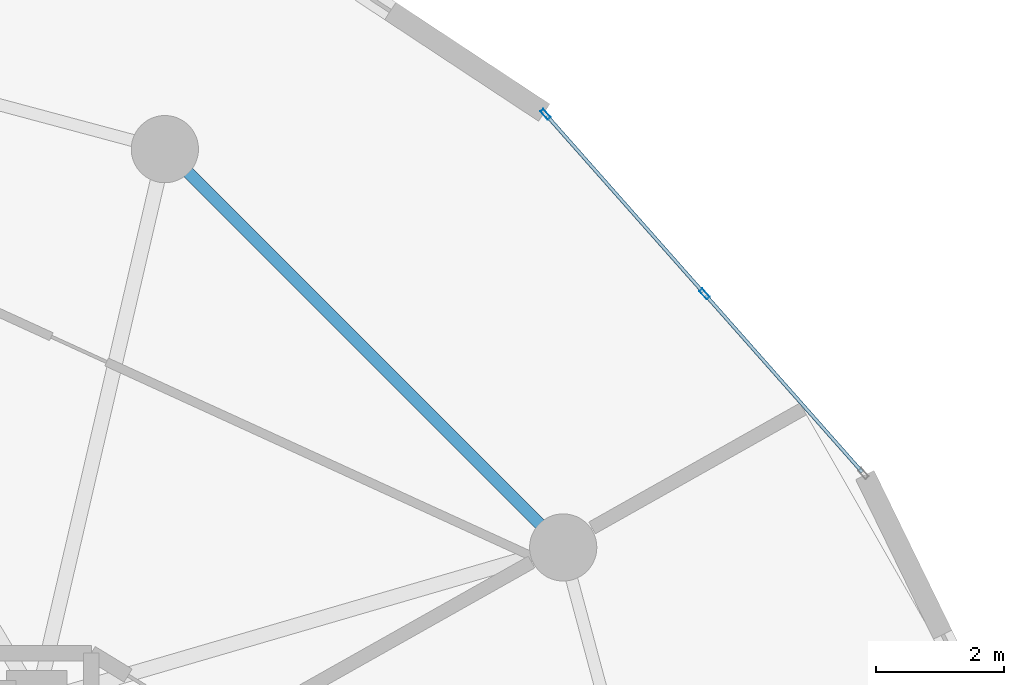
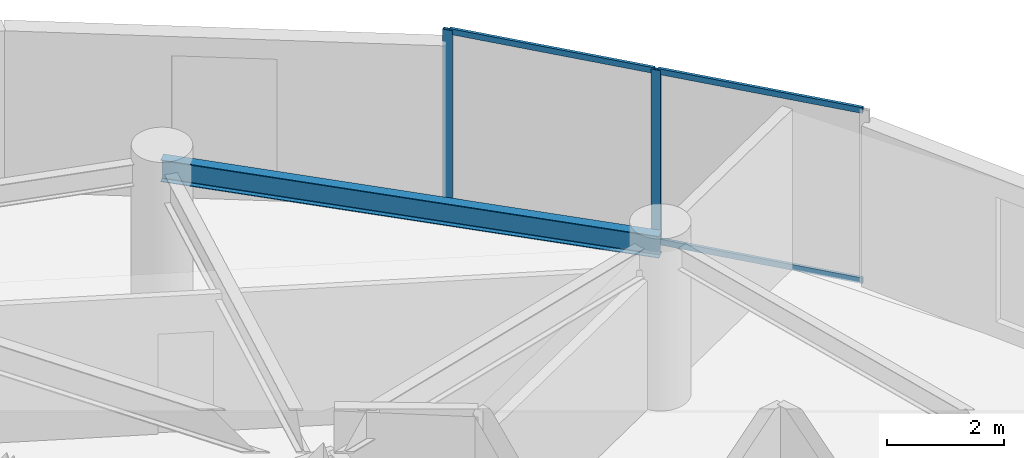
# One storey, part 13 of 20: 6 members, 1 beam, 1 element without a shape of its own.
"""IFC4 building model written with IfcOpenShell, lengths in metres."""

from ifc_helpers import new_model, si_unit, direction, frame, origin, origin_2d, place, context, subcontext, project, spatial, hollow_rectangle, i_section, extrude, source, transform, mapped, material, layer, layer_set, material_profile, profile_set, type_object, element, aggregate, save


model = new_model("IFC4")

# Units and contexts
model_context = context("Model", 3, precision=1e-05, world=origin(), true_north=direction((0.0, 1.0)))
body_context = subcontext(model_context, "Body", "Model", "MODEL_VIEW")
ifc_project = project(units=[si_unit("LENGTHUNIT", "METRE"), si_unit("AREAUNIT", "SQUARE_METRE"), si_unit("VOLUMEUNIT", "CUBIC_METRE"), si_unit("PLANEANGLEUNIT", "RADIAN"), si_unit("MASSUNIT", "GRAM", prefix="KILO")], contexts=[model_context])

# Site, building, storey
site_placement = place(None, origin())
site = spatial("IfcSite", under=ifc_project, at=site_placement, CompositionType="ELEMENT")
building_placement = place(site_placement, origin())
building = spatial("IfcBuilding", under=site, at=building_placement, Name="Solvirekh Grand Hotel", CompositionType="ELEMENT")
storey_placement = place(building_placement, frame((0.0, 0.0, 135.0)))
storey = spatial("IfcBuildingStorey", under=building, at=storey_placement, Name="L34", CompositionType="ELEMENT", Elevation=135.0)

# Beam
ifc_material_1 = material(Name="Steel S355", Category="steel")
ifc_material_profile_1 = material_profile(ifc_material_1, i_section(OverallWidth=0.18994140625, OverallDepth=0.45703125, WebThickness=0.009033203125, FlangeThickness=0.013916015625, FilletRadius=0.012939453125, at=origin_2d()), Name="W460X74")
ifc_profile_set_1 = profile_set([ifc_material_profile_1], Name="Steel S355")
beam_type = type_object("IfcBeamType", Name="Spandrel_Ring_W460", PredefinedType="SPANDREL", material=ifc_profile_set_1)
beam_placement = place(storey_placement, frame((14.721923828125, 8.5, 3.12109375), z_axis=(-0.707106781187, 0.707106781187, 0.0), x_axis=(-0.707106781187, -0.707106781187, 0.0)))
element("IfcBeam", 1, at=beam_placement, inside=storey, type_object=beam_type, Name="L34 perimeter spandrel beam 2", PredefinedType="SPANDREL", context=body_context, shape_type="SweptSolid", body=[
    extrude(i_section(OverallWidth=0.18994140625, OverallDepth=0.45703125, WebThickness=0.009033203125, FlangeThickness=0.013916015625, FilletRadius=0.012939453125, at=origin_2d()), origin(), (0.0, 0.0, 1.0), 8.799072265625),
])

# Curtain wall, members
ifc_material_2 = material(Name="Anodized Bronze Aluminium 6063-T6", Category="aluminium")
ifc_layer = layer(ifc_material_2, 0.175048828125)
ifc_layer_set = layer_set([ifc_layer], Name="Anodized Bronze Aluminium 6063-T6")
curtain_wall_type = type_object("IfcCurtainWallType", Name="CW_Sys3_MidZoneFlushBronzeCW", PredefinedType="NOTDEFINED", material=ifc_layer_set)
curtain_wall_placement = place(storey_placement, origin())
curtain_wall = element("IfcCurtainWall", 2, at=curtain_wall_placement, inside=storey, type_object=curtain_wall_type, Name="L34 unitised bronze-glass curtain wall CW-L34-C05", PredefinedType="NOTDEFINED")
ifc_material_profile_2 = material_profile(ifc_material_2, hollow_rectangle(XDim=0.06494140625, YDim=0.175048828125, WallThickness=0.0048828125, at=origin_2d()), Name="ALU RHS 175X65X5")
ifc_profile_set_2 = profile_set([ifc_material_profile_2], Name="Anodized Bronze Aluminium 6063-T6")
member_type_1 = type_object("IfcMemberType", Name="CWMullion_Sys3", PredefinedType="MULLION", material=ifc_profile_set_2)
shared_shape_1 = source(origin(), body_context, "Body", "SweptSolid", [
    extrude(hollow_rectangle(XDim=0.06494140625, YDim=0.175048828125, WallThickness=0.0048828125, at=origin_2d()), origin(), (0.0, 0.0, 1.0), 3.60009765625),
])
member_1_placement = place(storey_placement, frame((16.929443359375, 12.46142578125, 0.0), z_axis=(0.0, 0.0, 1.0), x_axis=(-0.748918278537, -0.662662366574, 0.0)))
member_1 = element("IfcMember", 3, at=member_1_placement, type_object=member_type_1, Name="U03 mullion 2", PredefinedType="MULLION", context=body_context, shape_type="MappedRepresentation", body=[
    mapped(shared_shape_1, transform((0.0, 0.0, 0.0), x_axis=(1.0, 0.0, 0.0), y_axis=(0.0, 1.0, 0.0), z_axis=(0.0, 0.0, 1.0), scale=1.0)),
])
member_2_placement = place(storey_placement, frame((14.446533203125, 15.267578125, 0.0), z_axis=(0.0, 0.0, 1.0), x_axis=(-0.748918278537, -0.662662366574, 0.0)))
member_2 = element("IfcMember", 4, at=member_2_placement, type_object=member_type_1, Name="U03 mullion 3", PredefinedType="MULLION", context=body_context, shape_type="MappedRepresentation", body=[
    mapped(shared_shape_1, transform((0.0, 0.0, 0.0), x_axis=(1.0, 0.0, 0.0), y_axis=(0.0, 1.0, 0.0), z_axis=(0.0, 0.0, 1.0), scale=1.0)),
])
ifc_material_profile_3 = material_profile(ifc_material_2, hollow_rectangle(XDim=0.054931640625, YDim=0.1201171875, WallThickness=0.00390625, at=origin_2d()), Name="ALU RHS 120X55X4")
ifc_profile_set_3 = profile_set([ifc_material_profile_3], Name="Anodized Bronze Aluminium 6063-T6")
member_type_2 = type_object("IfcMemberType", Name="CWTransom_Sys3", PredefinedType="USERDEFINED", material=ifc_profile_set_3)
shared_shape_2 = source(origin(), body_context, "Body", "SweptSolid", [
    extrude(hollow_rectangle(XDim=0.054931640625, YDim=0.1201171875, WallThickness=0.00390625, at=origin_2d()), origin(), (0.0, 0.0, 1.0), 3.68212890625),
])
member_3_placement = place(storey_placement, frame((19.390869140625, 9.6796875, 0.027587890625), z_axis=(-0.662658286966, 0.748921888261, 0.0), x_axis=(-0.748921888261, -0.662658286966, 0.0)))
member_3 = element("IfcMember", 5, at=member_3_placement, type_object=member_type_2, Name="U03 transom 1.1", ObjectType="TRANSOM", PredefinedType="USERDEFINED", context=body_context, shape_type="MappedRepresentation", body=[
    mapped(shared_shape_2, transform((0.0, 0.0, 0.0), x_axis=(1.0, 0.0, 0.0), y_axis=(0.0, 1.0, 0.0), z_axis=(0.0, 0.0, 1.0), scale=1.0)),
])
member_4_placement = place(storey_placement, frame((19.390869140625, 9.6796875, 3.572509765625), z_axis=(-0.662658286966, 0.748921888261, 0.0), x_axis=(-0.748921888261, -0.662658286966, 0.0)))
member_4 = element("IfcMember", 6, at=member_4_placement, type_object=member_type_2, Name="U03 transom 1.2", ObjectType="TRANSOM", PredefinedType="USERDEFINED", context=body_context, shape_type="MappedRepresentation", body=[
    mapped(shared_shape_2, transform((0.0, 0.0, 0.0), x_axis=(1.0, 0.0, 0.0), y_axis=(0.0, 1.0, 0.0), z_axis=(0.0, 0.0, 1.0), scale=1.0)),
])
member_5_placement = place(storey_placement, frame((16.907958984375, 12.48583984375, 0.027587890625), z_axis=(-0.662658286966, 0.748921888261, 0.0), x_axis=(-0.748921888261, -0.662658286966, 0.0)))
member_5 = element("IfcMember", 7, at=member_5_placement, type_object=member_type_2, Name="U03 transom 2.1", ObjectType="TRANSOM", PredefinedType="USERDEFINED", context=body_context, shape_type="MappedRepresentation", body=[
    mapped(shared_shape_2, transform((0.0, 0.0, 0.0), x_axis=(1.0, 0.0, 0.0), y_axis=(0.0, 1.0, 0.0), z_axis=(0.0, 0.0, 1.0), scale=1.0)),
])
member_6_placement = place(storey_placement, frame((16.907958984375, 12.48583984375, 3.572509765625), z_axis=(-0.662658286966, 0.748921888261, 0.0), x_axis=(-0.748921888261, -0.662658286966, 0.0)))
member_6 = element("IfcMember", 8, at=member_6_placement, type_object=member_type_2, Name="U03 transom 2.2", ObjectType="TRANSOM", PredefinedType="USERDEFINED", context=body_context, shape_type="MappedRepresentation", body=[
    mapped(shared_shape_2, transform((0.0, 0.0, 0.0), x_axis=(1.0, 0.0, 0.0), y_axis=(0.0, 1.0, 0.0), z_axis=(0.0, 0.0, 1.0), scale=1.0)),
])
aggregate(curtain_wall, [member_1, member_2, member_3, member_4, member_5, member_6])

save(model, "model.ifc")
